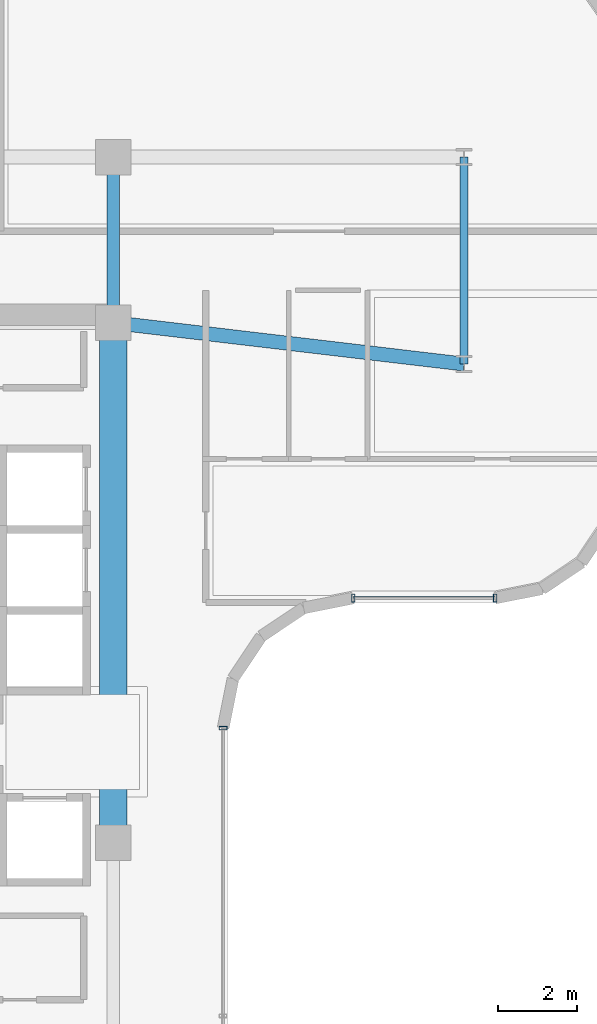
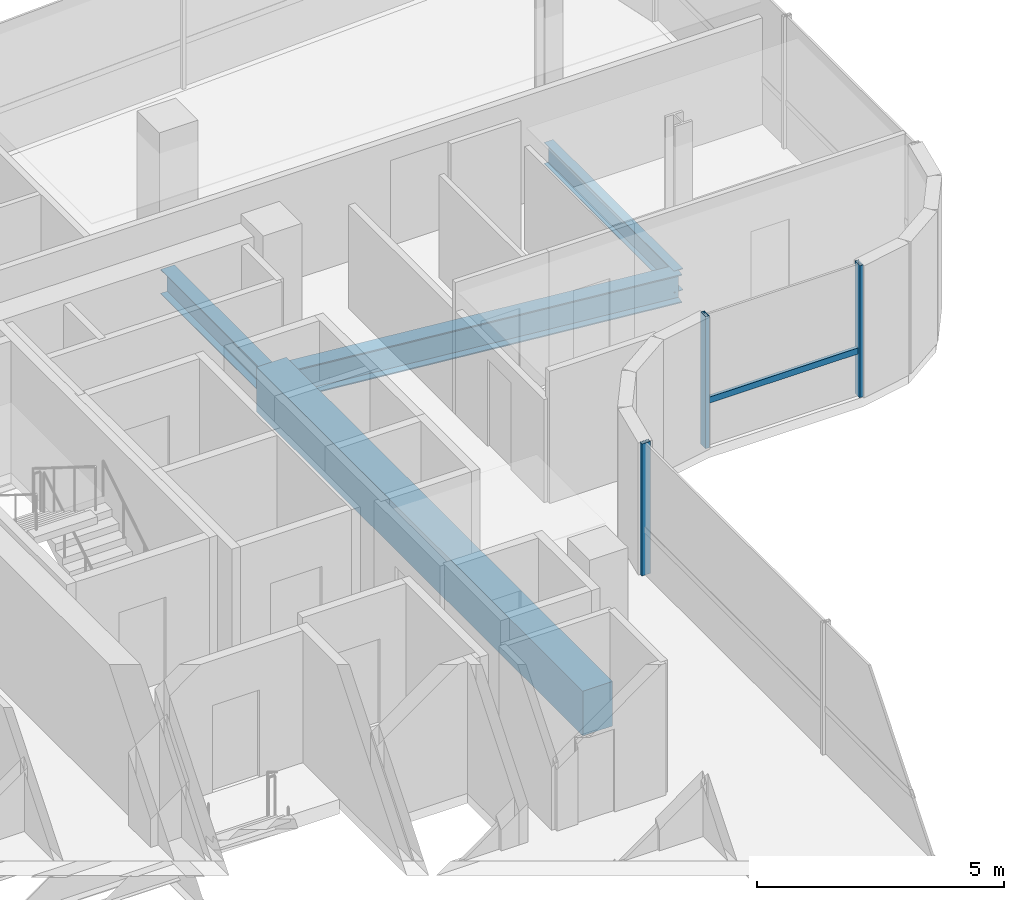
# One storey, part 11 of 24: 4 beams, 4 members, 2 elements without a shape of their own.
"""IFC4 building model written with IfcOpenShell, lengths in metres."""

from ifc_helpers import new_model, si_unit, direction, frame, origin, origin_2d, place, context, subcontext, project, spatial, rectangle, hollow_rectangle, i_section, extrude, source, transform, mapped, material, material_profile, profile_set, type_object, element, aggregate, save


model = new_model("IFC4")

# Units and contexts
model_context = context("Model", 3, precision=1e-05, world=origin(), true_north=direction((0.0, 1.0)))
body_context = subcontext(model_context, "Body", "Model", "MODEL_VIEW")
ifc_project = project(units=[si_unit("LENGTHUNIT", "METRE"), si_unit("AREAUNIT", "SQUARE_METRE"), si_unit("VOLUMEUNIT", "CUBIC_METRE"), si_unit("PLANEANGLEUNIT", "RADIAN"), si_unit("MASSUNIT", "GRAM", prefix="KILO")], contexts=[model_context])

# Site, building, storey
site_placement = place(None, origin())
site = spatial("IfcSite", under=ifc_project, at=site_placement, CompositionType="ELEMENT")
building_placement = place(site_placement, origin())
building = spatial("IfcBuilding", under=site, at=building_placement, Name="Valdorenza Pilgrim Sanctuary Tower", CompositionType="ELEMENT")
storey_placement = place(building_placement, frame((0.0, 0.0, 205.5)))
storey = spatial("IfcBuildingStorey", under=building, at=storey_placement, Name="L52", CompositionType="ELEMENT", Elevation=205.5)

# Beams
ifc_material_1 = material(Name="Concrete C50/60", Category="concrete")
ifc_material_profile_1 = material_profile(ifc_material_1, rectangle(XDim=0.699951171875, YDim=1.10009765625, at=origin_2d()), Name="RC 1100x700")
ifc_profile_set_1 = profile_set([ifc_material_profile_1], Name="Concrete C50/60")
beam_type_1 = type_object("IfcBeamType", Name="STR-BM-LNT-1100", PredefinedType="LINTEL", material=ifc_profile_set_1)
shared_shape_1 = source(origin(), body_context, "Body", "SweptSolid", [
    extrude(rectangle(XDim=0.699951171875, YDim=1.10009765625, at=origin_2d()), origin(), (0.0, 0.0, 1.0), 13.2001953125),
])
beam_1_placement = place(storey_placement, frame((-12.39990234375, -2.60009765625, -0.590087890625), z_axis=(0.0, 1.0, 0.0), x_axis=(-1.0, 0.0, 0.0)))
element("IfcBeam", 1, at=beam_1_placement, inside=storey, type_object=beam_type_1, Name="L52 Core A Coupling Lintel Girder", PredefinedType="LINTEL", context=body_context, shape_type="MappedRepresentation", body=[
    mapped(shared_shape_1, transform((0.0, 0.0, 0.0), x_axis=(1.0, 0.0, 0.0), y_axis=(0.0, 1.0, 0.0), z_axis=(0.0, 0.0, 1.0), scale=1.0)),
])
ifc_material_2 = material(Name="Steel ASTM A992 Grade 50", Category="steel")
ifc_material_profile_2 = material_profile(ifc_material_2, i_section(OverallWidth=0.323974609375, OverallDepth=0.611083984375, WebThickness=0.0126953125, FlangeThickness=0.01904296875, at=origin_2d()), Name="W24X104")
ifc_profile_set_2 = profile_set([ifc_material_profile_2], Name="Steel ASTM A992 Grade 50")
beam_type_2 = type_object("IfcBeamType", Name="STR-BM-GRD-W24B", PredefinedType="BEAM", material=ifc_profile_set_2)
shared_shape_2 = source(origin(), body_context, "Body", "SweptSolid", [
    extrude(i_section(OverallWidth=0.323974609375, OverallDepth=0.611083984375, WebThickness=0.0126953125, FlangeThickness=0.01904296875, at=origin_2d()), origin(), (0.0, 0.0, 1.0), 4.199951171875),
])
beam_2_placement = place(storey_placement, frame((-12.39990234375, 10.60009765625, -0.54541015625), z_axis=(0.0, 1.0, 0.0), x_axis=(-1.0, 0.0, 0.0)))
element("IfcBeam", 2, at=beam_2_placement, inside=storey, type_object=beam_type_2, Name="L52 Core Tie Girder CA-E-N1N2", PredefinedType="BEAM", context=body_context, shape_type="MappedRepresentation", body=[
    mapped(shared_shape_2, transform((0.0, 0.0, 0.0), x_axis=(1.0, 0.0, 0.0), y_axis=(0.0, 1.0, 0.0), z_axis=(0.0, 0.0, 1.0), scale=1.0)),
])
ifc_material_profile_3 = material_profile(ifc_material_2, i_section(OverallWidth=0.2109375, OverallDepth=0.5390625, WebThickness=0.01171875, FlangeThickness=0.018798828125, at=origin_2d()), Name="W21X73")
ifc_profile_set_3 = profile_set([ifc_material_profile_3], Name="Steel ASTM A992 Grade 50")
beam_type_3 = type_object("IfcBeamType", Name="STR-BM-SPN-W21B", PredefinedType="SPANDREL", material=ifc_profile_set_3)
shared_shape_3 = source(origin(), body_context, "Body", "SweptSolid", [
    extrude(i_section(OverallWidth=0.2109375, OverallDepth=0.5390625, WebThickness=0.01171875, FlangeThickness=0.018798828125, at=origin_2d()), origin(), (0.0, 0.0, 1.0), 5.25),
])
beam_3_placement = place(storey_placement, frame((-3.5, 9.550048828125, -0.509521484375), z_axis=(0.0, 1.0, 0.0), x_axis=(-1.0, 0.0, 0.0)))
element("IfcBeam", 3, at=beam_3_placement, inside=storey, type_object=beam_type_3, Name="L52 Floor Girder UWA-KTIE", PredefinedType="SPANDREL", context=body_context, shape_type="MappedRepresentation", body=[
    mapped(shared_shape_3, transform((0.0, 0.0, 0.0), x_axis=(1.0, 0.0, 0.0), y_axis=(0.0, 1.0, 0.0), z_axis=(0.0, 0.0, 1.0), scale=1.0)),
])
ifc_material_profile_4 = material_profile(ifc_material_2, i_section(OverallWidth=0.35595703125, OverallDepth=0.700927734375, WebThickness=0.016845703125, FlangeThickness=0.02734375, at=origin_2d()), Name="W27X161")
ifc_profile_set_4 = profile_set([ifc_material_profile_4], Name="Steel ASTM A992 Grade 50")
beam_type_4 = type_object("IfcBeamType", Name="STR-BM-GRD-W27", PredefinedType="BEAM", material=ifc_profile_set_4)
shared_shape_4 = source(origin(), body_context, "Body", "SweptSolid", [
    extrude(i_section(OverallWidth=0.35595703125, OverallDepth=0.700927734375, WebThickness=0.016845703125, FlangeThickness=0.02734375, at=origin_2d()), origin(), (0.0, 0.0, 1.0), 8.961669921875),
])
beam_4_placement = place(storey_placement, frame((-12.39990234375, 10.60009765625, -0.590576171875), z_axis=(0.993111684121, -0.117171595803, 0.0), x_axis=(0.117171595803, 0.993111684121, 0.0)))
element("IfcBeam", 4, at=beam_4_placement, inside=storey, type_object=beam_type_4, Name="L52 Floor Girder UWA-KG1", PredefinedType="BEAM", context=body_context, shape_type="MappedRepresentation", body=[
    mapped(shared_shape_4, transform((0.0, 0.0, 0.0), x_axis=(1.0, 0.0, 0.0), y_axis=(0.0, 1.0, 0.0), z_axis=(0.0, 0.0, 1.0), scale=1.0)),
])

# Curtain wall, members
ifc_material_3 = material(Name="Curtain-wall IGU glazing", Category="glass")
curtain_wall_type = type_object("IfcCurtainWallType", Name="CW-SYS-02", PredefinedType="NOTDEFINED", material=ifc_material_3)
curtain_wall_1_placement = place(storey_placement, origin())
curtain_wall_1 = element("IfcCurtainWall", 5, at=curtain_wall_1_placement, inside=storey, type_object=curtain_wall_type, Name="L52 Curtain Wall CW-L52-1-16", PredefinedType="NOTDEFINED")
ifc_material_4 = material(Name="Anodised aluminium AW-6060", Category="aluminium")
ifc_material_profile_5 = material_profile(ifc_material_4, hollow_rectangle(XDim=0.074951171875, YDim=0.14990234375, WallThickness=0.00390625, at=origin_2d()), Name="ALU-T 150x75x4")
ifc_profile_set_5 = profile_set([ifc_material_profile_5], Name="Anodised aluminium AW-6060")
member_type_1 = type_object("IfcMemberType", Name="CW-TRN-02", PredefinedType="USERDEFINED", material=ifc_profile_set_5)
shared_shape_5 = source(origin(), body_context, "Body", "SweptSolid", [
    extrude(hollow_rectangle(XDim=0.074951171875, YDim=0.14990234375, WallThickness=0.00390625, at=origin_2d()), origin(), (0.0, 0.0, 1.0), 3.60009765625),
])
member_1_placement = place(storey_placement, frame((-2.710693359375, 3.610107421875, 1.1201171875), z_axis=(-1.0, 0.0, 0.0), x_axis=(0.0, -1.0, 0.0)))
member_1 = element("IfcMember", 6, at=member_1_placement, type_object=member_type_1, Name="CW-L52-1-16 Transom 1", ObjectType="TRANSOM", PredefinedType="USERDEFINED", context=body_context, shape_type="MappedRepresentation", body=[
    mapped(shared_shape_5, transform((0.0, 0.0, 0.0), x_axis=(1.0, 0.0, 0.0), y_axis=(0.0, 1.0, 0.0), z_axis=(0.0, 0.0, 1.0), scale=1.0)),
])
ifc_material_profile_6 = material_profile(ifc_material_4, hollow_rectangle(XDim=0.0849609375, YDim=0.199951171875, WallThickness=0.0048828125, at=origin_2d()), Name="ALU-M 200x85x5")
ifc_profile_set_6 = profile_set([ifc_material_profile_6], Name="Anodised aluminium AW-6060")
member_type_2 = type_object("IfcMemberType", Name="CW-MUL-02", PredefinedType="MULLION", material=ifc_profile_set_6)
shared_shape_6 = source(origin(), body_context, "Body", "SweptSolid", [
    extrude(hollow_rectangle(XDim=0.0849609375, YDim=0.199951171875, WallThickness=0.0048828125, at=origin_2d()), origin(), (0.0, 0.0, 1.0), 3.260009765625),
])
member_2_placement = place(storey_placement, frame((-2.710693359375, 3.610107421875, 0.0), z_axis=(0.0, 0.0, 1.0), x_axis=(-1.0, 0.0, 0.0)))
member_2 = element("IfcMember", 7, at=member_2_placement, type_object=member_type_2, Name="CW-L52-1-16 Mullion 1", PredefinedType="MULLION", context=body_context, shape_type="MappedRepresentation", body=[
    mapped(shared_shape_6, transform((0.0, 0.0, 0.0), x_axis=(1.0, 0.0, 0.0), y_axis=(0.0, 1.0, 0.0), z_axis=(0.0, 0.0, 1.0), scale=1.0)),
])
member_3_placement = place(storey_placement, frame((-6.310791015625, 3.610107421875, 0.0), z_axis=(0.0, 0.0, 1.0), x_axis=(-1.0, 0.0, 0.0)))
member_3 = element("IfcMember", 8, at=member_3_placement, type_object=member_type_2, Name="CW-L52-1-16 Mullion 2", PredefinedType="MULLION", context=body_context, shape_type="MappedRepresentation", body=[
    mapped(shared_shape_6, transform((0.0, 0.0, 0.0), x_axis=(1.0, 0.0, 0.0), y_axis=(0.0, 1.0, 0.0), z_axis=(0.0, 0.0, 1.0), scale=1.0)),
])
aggregate(curtain_wall_1, [member_2, member_3, member_1])

# Curtain wall, member
curtain_wall_2_placement = place(storey_placement, origin())
curtain_wall_2 = element("IfcCurtainWall", 9, at=curtain_wall_2_placement, inside=storey, type_object=curtain_wall_type, Name="L52 Curtain Wall CW-L52-1-21", PredefinedType="NOTDEFINED")
member_4_placement = place(storey_placement, frame((-9.610107421875, 0.310791015625, 0.0), z_axis=(0.0, 0.0, 1.0), x_axis=(0.0, -1.0, 0.0)))
member_4 = element("IfcMember", 10, at=member_4_placement, type_object=member_type_2, Name="CW-L52-1-21 Mullion 1", PredefinedType="MULLION", context=body_context, shape_type="MappedRepresentation", body=[
    mapped(shared_shape_6, transform((0.0, 0.0, 0.0), x_axis=(1.0, 0.0, 0.0), y_axis=(0.0, 1.0, 0.0), z_axis=(0.0, 0.0, 1.0), scale=1.0)),
])
aggregate(curtain_wall_2, [member_4])

save(model, "model.ifc")
